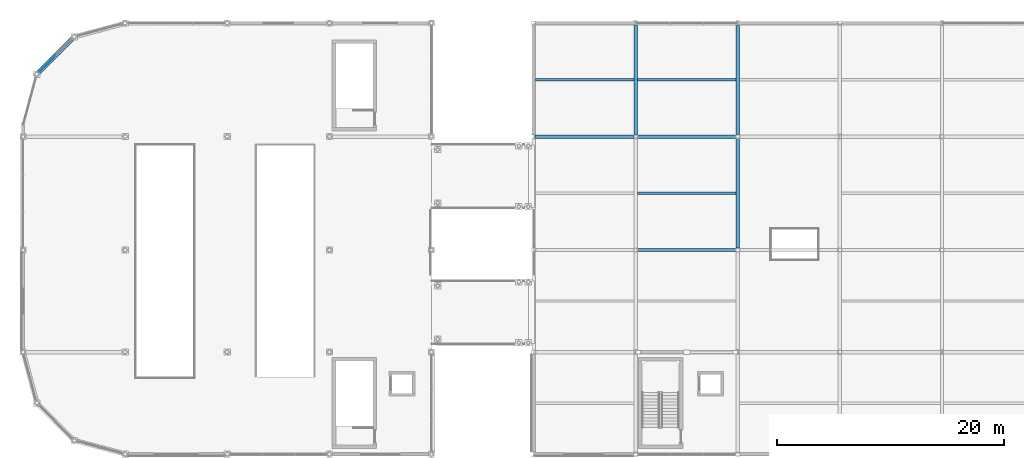
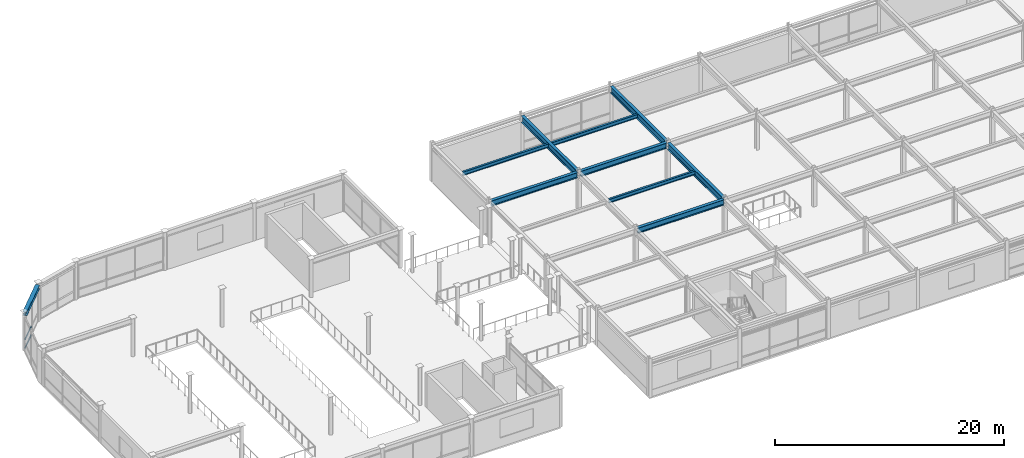
# One storey, part 23 of 53: 10 beams, 3 members, 1 element without a shape of its own.
"""IFC4 building model written with IfcOpenShell, lengths in metres."""

from ifc_helpers import new_model, si_unit, direction, frame, origin, origin_2d, place, context, subcontext, project, spatial, rectangle, i_section, extrude, material, material_profile, profile_set, type_object, element, aggregate, save


model = new_model("IFC4")

# Units and contexts
model_context = context("Model", 3, precision=1e-05, world=origin(), true_north=direction((0.0, 1.0)))
body_context = subcontext(model_context, "Body", "Model", "MODEL_VIEW")
ifc_project = project(units=[si_unit("LENGTHUNIT", "METRE"), si_unit("AREAUNIT", "SQUARE_METRE"), si_unit("VOLUMEUNIT", "CUBIC_METRE"), si_unit("PLANEANGLEUNIT", "RADIAN"), si_unit("MASSUNIT", "GRAM", prefix="KILO")], contexts=[model_context])

# Site, building, storey
site_placement = place(None, origin())
site = spatial("IfcSite", under=ifc_project, at=site_placement, CompositionType="ELEMENT")
building_placement = place(site_placement, origin())
building = spatial("IfcBuilding", under=site, at=building_placement, Name="Suzunagisa Mobility Hub", CompositionType="ELEMENT")
storey_placement = place(building_placement, frame((0.0, 0.0, 17.699951171875)))
storey = spatial("IfcBuildingStorey", under=building, at=storey_placement, Name="L04", CompositionType="ELEMENT", Elevation=17.699951171875)

# Curtain wall, members
ifc_material_1 = material(Name="Thermally Broken Anodized Aluminum and Low-E Glazing", Category="aluminium")
curtain_wall_type = type_object("IfcCurtainWallType", Name="Unitised Curtain Wall CW-24 4250x3500", PredefinedType="USERDEFINED", material=ifc_material_1)
curtain_wall_placement = place(storey_placement, origin())
curtain_wall = element("IfcCurtainWall", 1, at=curtain_wall_placement, inside=storey, type_object=curtain_wall_type, Name="L04 Unitised Curtain Wall CW-88", ObjectType="UNITISED CURTAIN WALL", PredefinedType="USERDEFINED")
ifc_material_2 = material(Name="Anodized Aluminum 6063-T6", Category="aluminium")
ifc_material_profile_1 = material_profile(ifc_material_2, rectangle(XDim=0.06005859375, YDim=0.1201171875, at=origin_2d()), Name="TRAN-60x120")
ifc_profile_set_1 = profile_set([ifc_material_profile_1], Name="Anodized Aluminum 6063-T6")
member_type = type_object("IfcMemberType", Name="Curtain Wall Framing CM-02 TRAN-60x120", PredefinedType="USERDEFINED", material=ifc_profile_set_1)
member_1_placement = place(storey_placement, frame((2.8330078125, 115.127197265625, 0.030029296875), z_axis=(-0.707106781187, -0.707106781187, 0.0), x_axis=(0.707106781187, -0.707106781187, 0.0)))
member_1 = element("IfcMember", 2, at=member_1_placement, type_object=member_type, Name="Curtain Wall Transom 88-T2.1", ObjectType="TRANSOM", PredefinedType="USERDEFINED", context=body_context, shape_type="SweptSolid", body=[
    extrude(rectangle(XDim=0.06005859375, YDim=0.1201171875, at=origin_2d()), origin(), (0.0, 0.0, 1.0), 1.991943359375),
])
member_2_placement = place(storey_placement, frame((2.8330078125, 115.127197265625, 0.949951171875), z_axis=(-0.707106781187, -0.707106781187, 0.0), x_axis=(0.707106781187, -0.707106781187, 0.0)))
member_2 = element("IfcMember", 3, at=member_2_placement, type_object=member_type, Name="Curtain Wall Transom 88-T2.2", ObjectType="TRANSOM", PredefinedType="USERDEFINED", context=body_context, shape_type="SweptSolid", body=[
    extrude(rectangle(XDim=0.06005859375, YDim=0.1201171875, at=origin_2d()), origin(), (0.0, 0.0, 1.0), 1.991943359375),
])
member_3_placement = place(storey_placement, frame((2.8330078125, 115.127197265625, 3.510009765625), z_axis=(-0.707106781187, -0.707106781187, 0.0), x_axis=(0.707106781187, -0.707106781187, 0.0)))
member_3 = element("IfcMember", 4, at=member_3_placement, type_object=member_type, Name="Curtain Wall Transom 88-T2.3", ObjectType="TRANSOM", PredefinedType="USERDEFINED", context=body_context, shape_type="SweptSolid", body=[
    extrude(rectangle(XDim=0.06005859375, YDim=0.1201171875, at=origin_2d()), origin(), (0.0, 0.0, 1.0), 1.991943359375),
])
aggregate(curtain_wall, [member_1, member_2, member_3])

# Beams
ifc_material_3 = material(Name="Steel SN490B", Category="steel")
ifc_material_profile_2 = material_profile(ifc_material_3, i_section(OverallWidth=0.300048828125, OverallDepth=0.699951171875, WebThickness=0.012939453125, FlangeThickness=0.02392578125, FilletRadius=0.01806640625, at=origin_2d()), Name="H-700x300x13x24")
ifc_profile_set_2 = profile_set([ifc_material_profile_2], Name="Steel SN490B")
beam_type_1 = type_object("IfcBeamType", Name="Steel Beam BM-11 H-700x300x13x24", PredefinedType="BEAM", material=ifc_profile_set_2)
beam_1_placement = place(storey_placement, frame((54.0, 108.1708984375, 3.60009765625), z_axis=(0.0, 1.0, 0.0), x_axis=(-1.0, 0.0, 0.0)))
element("IfcBeam", 5, at=beam_1_placement, inside=storey, type_object=beam_type_1, Name="L04 Primary Girder GY-1180", PredefinedType="BEAM", context=body_context, shape_type="SweptSolid", body=[
    extrude(i_section(OverallWidth=0.300048828125, OverallDepth=0.699951171875, WebThickness=0.012939453125, FlangeThickness=0.02392578125, FilletRadius=0.01806640625, at=origin_2d()), origin(), (0.0, 0.0, 1.0), 9.63818359375),
])
beam_2_placement = place(storey_placement, frame((63.0, 98.1708984375, 3.60009765625), z_axis=(0.0, 1.0, 0.0), x_axis=(-1.0, 0.0, 0.0)))
element("IfcBeam", 6, at=beam_2_placement, inside=storey, type_object=beam_type_1, Name="L04 Primary Girder GY-1183", PredefinedType="BEAM", context=body_context, shape_type="SweptSolid", body=[
    extrude(i_section(OverallWidth=0.300048828125, OverallDepth=0.699951171875, WebThickness=0.012939453125, FlangeThickness=0.02392578125, FilletRadius=0.01806640625, at=origin_2d()), origin(), (0.0, 0.0, 1.0), 9.658203125),
])
beam_3_placement = place(storey_placement, frame((63.0, 108.1708984375, 3.60009765625), z_axis=(0.0, 1.0, 0.0), x_axis=(-1.0, 0.0, 0.0)))
element("IfcBeam", 7, at=beam_3_placement, inside=storey, type_object=beam_type_1, Name="L04 Primary Girder GY-1184", PredefinedType="BEAM", context=body_context, shape_type="SweptSolid", body=[
    extrude(i_section(OverallWidth=0.300048828125, OverallDepth=0.699951171875, WebThickness=0.012939453125, FlangeThickness=0.02392578125, FilletRadius=0.01806640625, at=origin_2d()), origin(), (0.0, 0.0, 1.0), 9.63818359375),
])
ifc_material_profile_3 = material_profile(ifc_material_3, i_section(OverallWidth=0.39990234375, OverallDepth=0.39990234375, WebThickness=0.012939453125, FlangeThickness=0.02099609375, FilletRadius=0.01611328125, at=origin_2d()), Name="H-400x400x13x21")
ifc_profile_set_3 = profile_set([ifc_material_profile_3], Name="Steel SN490B")
beam_type_2 = type_object("IfcBeamType", Name="Steel Beam BM-12 H-400x400x13x21", PredefinedType="SPANDREL", material=ifc_profile_set_3)
beam_4_placement = place(storey_placement, frame((4.374267578125, 116.66845703125, 3.739990234375), z_axis=(-0.707106781187, -0.707106781187, 0.0), x_axis=(0.707106781187, -0.707106781187, 0.0)))
element("IfcBeam", 8, at=beam_4_placement, inside=storey, type_object=beam_type_2, Name="L04 Ramp Drum Corner Prow Spandrel 2267", PredefinedType="SPANDREL", context=body_context, shape_type="SweptSolid", body=[
    extrude(i_section(OverallWidth=0.39990234375, OverallDepth=0.39990234375, WebThickness=0.012939453125, FlangeThickness=0.02099609375, FilletRadius=0.01611328125, at=origin_2d()), origin(), (0.0, 0.0, 1.0), 4.302978515625),
])
ifc_material_4 = material(Name="Steel SN400B", Category="steel")
ifc_material_profile_4 = material_profile(ifc_material_4, i_section(OverallWidth=0.199951171875, OverallDepth=0.39990234375, WebThickness=0.008056640625, FlangeThickness=0.012939453125, FilletRadius=0.012939453125, at=origin_2d()), Name="H-400x200x8x13")
ifc_profile_set_4 = profile_set([ifc_material_profile_4], Name="Steel SN400B")
beam_type_3 = type_object("IfcBeamType", Name="Steel Beam BM-14 H-400x200x8x13", PredefinedType="JOIST", material=ifc_profile_set_4)
for number, where, z_axis, x_axis, name in (
    (9, (45.14990234375, 113.0, 3.75), (1.0, 0.0, 0.0), (0.0, 1.0, 0.0), "L04 Composite Floor Joist J-1204"),
    (10, (54.14990234375, 103.0, 3.75), (1.0, 0.0, 0.0), (0.0, 1.0, 0.0), "L04 Composite Floor Joist J-1206"),
    (11, (54.14990234375, 113.0, 3.75), (1.0, 0.0, 0.0), (0.0, 1.0, 0.0), "L04 Composite Floor Joist J-1207"),
):
    element("IfcBeam", number, at=place(storey_placement, frame(where, z_axis=z_axis, x_axis=x_axis)), inside=storey, type_object=beam_type_3, Name=name, PredefinedType="JOIST", context=body_context, shape_type="SweptSolid", body=[
        extrude(i_section(OverallWidth=0.199951171875, OverallDepth=0.39990234375, WebThickness=0.008056640625, FlangeThickness=0.012939453125, FilletRadius=0.012939453125, at=origin_2d()), origin(), (0.0, 0.0, 1.0), 8.7001953125),
    ])
ifc_material_profile_5 = material_profile(ifc_material_3, i_section(OverallWidth=0.300048828125, OverallDepth=0.587890625, WebThickness=0.011962890625, FlangeThickness=0.02001953125, FilletRadius=0.012939453125, at=origin_2d()), Name="H-588x300x12x20")
ifc_profile_set_5 = profile_set([ifc_material_profile_5], Name="Steel SN490B")
beam_type_4 = type_object("IfcBeamType", Name="Steel Beam BM-16 H-588x300x12x20", PredefinedType="BEAM", material=ifc_profile_set_5)
beam_5_placement = place(storey_placement, frame((54.1708984375, 98.0, 3.656005859375), z_axis=(1.0, 0.0, 0.0), x_axis=(0.0, 1.0, 0.0)))
element("IfcBeam", 12, at=beam_5_placement, inside=storey, type_object=beam_type_4, Name="L04 Primary Girder GX-1156", PredefinedType="BEAM", context=body_context, shape_type="SweptSolid", body=[
    extrude(i_section(OverallWidth=0.300048828125, OverallDepth=0.587890625, WebThickness=0.011962890625, FlangeThickness=0.02001953125, FilletRadius=0.012939453125, at=origin_2d()), origin(), (0.0, 0.0, 1.0), 8.658203125),
])
beam_6_placement = place(storey_placement, frame((45.14599609375, 108.0, 3.656005859375), z_axis=(1.0, 0.0, 0.0), x_axis=(0.0, 1.0, 0.0)))
element("IfcBeam", 13, at=beam_6_placement, inside=storey, type_object=beam_type_4, Name="L04 Primary Girder GX-1161", PredefinedType="BEAM", context=body_context, shape_type="SweptSolid", body=[
    extrude(i_section(OverallWidth=0.300048828125, OverallDepth=0.587890625, WebThickness=0.011962890625, FlangeThickness=0.02001953125, FilletRadius=0.012939453125, at=origin_2d()), origin(), (0.0, 0.0, 1.0), 8.68310546875),
])
beam_7_placement = place(storey_placement, frame((54.1708984375, 108.0, 3.656005859375), z_axis=(1.0, 0.0, 0.0), x_axis=(0.0, 1.0, 0.0)))
element("IfcBeam", 14, at=beam_7_placement, inside=storey, type_object=beam_type_4, Name="L04 Primary Girder GX-1162", PredefinedType="BEAM", context=body_context, shape_type="SweptSolid", body=[
    extrude(i_section(OverallWidth=0.300048828125, OverallDepth=0.587890625, WebThickness=0.011962890625, FlangeThickness=0.02001953125, FilletRadius=0.012939453125, at=origin_2d()), origin(), (0.0, 0.0, 1.0), 8.658203125),
])

save(model, "model.ifc")
